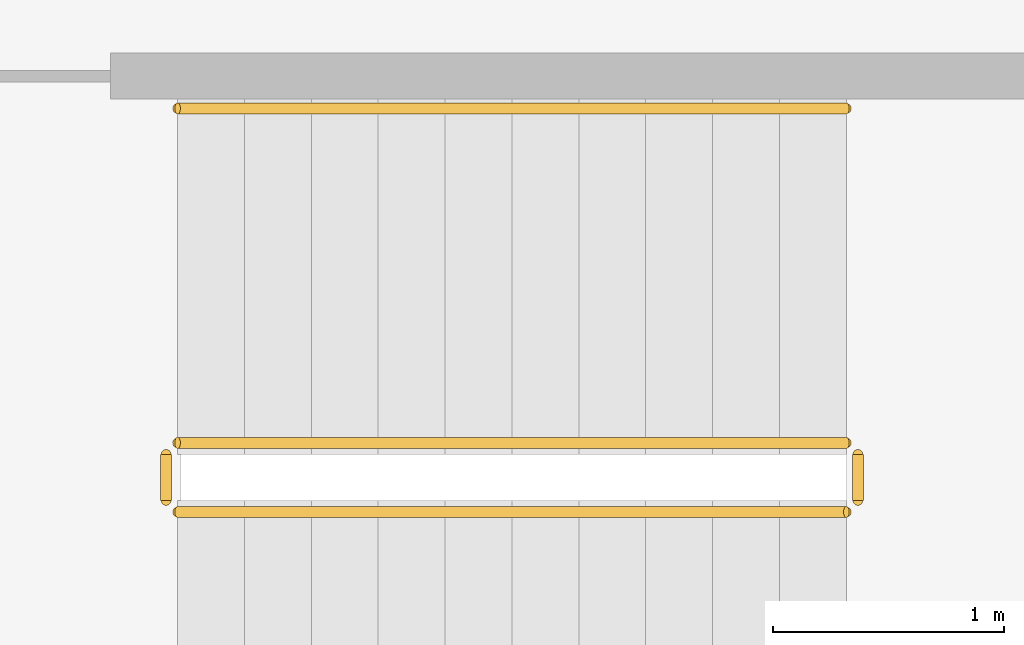
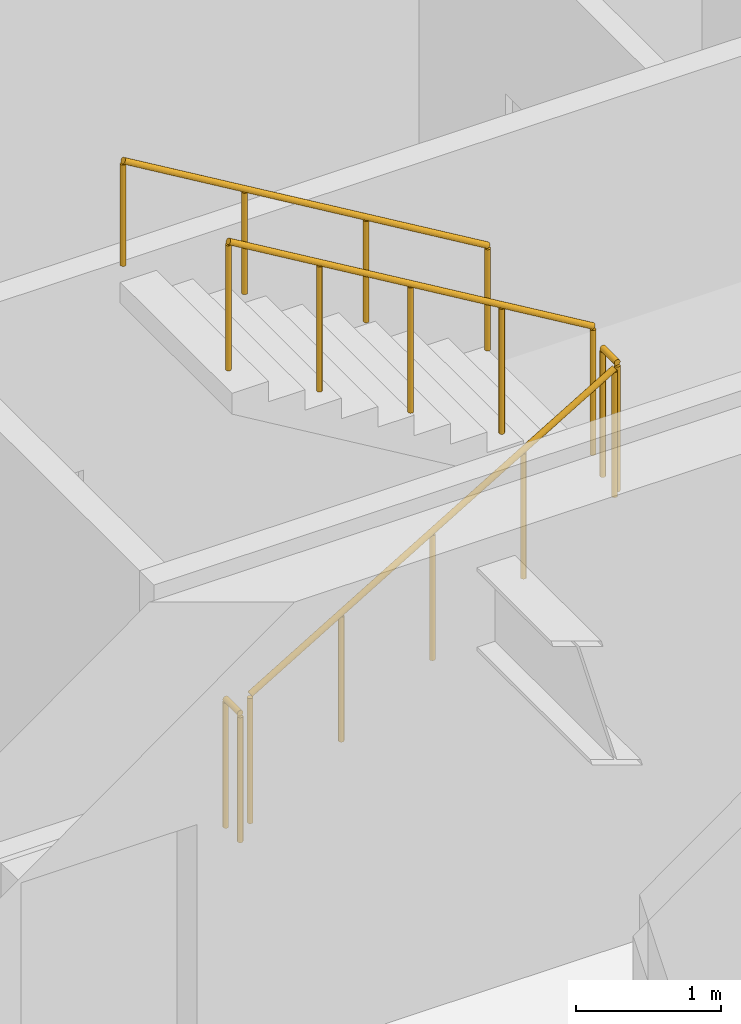
# One storey, part 22 of 23: 5 railings.
"""IFC4 building model written with IfcOpenShell, lengths in metres."""

from ifc_helpers import new_model, si_unit, direction, frame, origin, origin_2d, place, context, subcontext, project, spatial, circle, extrude, material, type_object, element, save


model = new_model("IFC4")

# Units and contexts
model_context = context("Model", 3, precision=1e-05, world=origin(), true_north=direction((0.0, 1.0)))
body_context = subcontext(model_context, "Body", "Model", "MODEL_VIEW")
ifc_project = project(units=[si_unit("LENGTHUNIT", "METRE"), si_unit("AREAUNIT", "SQUARE_METRE"), si_unit("VOLUMEUNIT", "CUBIC_METRE"), si_unit("PLANEANGLEUNIT", "RADIAN"), si_unit("MASSUNIT", "GRAM", prefix="KILO")], contexts=[model_context])

# Site, building, storey
site_placement = place(None, origin())
site = spatial("IfcSite", under=ifc_project, at=site_placement, CompositionType="ELEMENT")
building_placement = place(site_placement, origin())
building = spatial("IfcBuilding", under=site, at=building_placement, Name="Putna Gate Headquarters", CompositionType="ELEMENT")
storey_placement = place(building_placement, frame((0.0, 0.0, 206.199951171875)))
storey = spatial("IfcBuildingStorey", under=building, at=storey_placement, Name="L51", CompositionType="ELEMENT", Elevation=206.199951171875)

# Railings
ifc_material_1 = material(Name="Powder-coated steel stair guardrail", Category="steel")
railing_type_1 = type_object("IfcRailingType", Name="RAIL-STAIR-GUARD-1100", PredefinedType="GUARDRAIL", material=ifc_material_1)
railing_1_placement = place(storey_placement, frame((57.89990234375, 21.10009765625, 0.1728515625)))
element("IfcRailing", 1, at=railing_1_placement, inside=storey, type_object=railing_type_1, Name="L51 ST2 stair guard 1", PredefinedType="GUARDRAIL", context=body_context, shape_type="SweptSolid", body=[
    extrude(circle(Radius=0.02392578125, at=origin_2d()), frame((0.0, 0.0, 1.076171875), z_axis=(0.859160404282, 0.0, 0.51170636083), x_axis=(0.0, 1.0, 0.0)), (0.0, 0.0, 1.0), 3.37548828125),
    extrude(circle(Radius=0.02099609375, at=origin_2d()), origin(), (0.0, 0.0, 1.0), 1.052001953125),
    extrude(circle(Radius=0.02099609375, at=origin_2d()), frame((0.72509765625, 0.0, 0.431884765625)), (0.0, 0.0, 1.0), 1.052001953125),
    extrude(circle(Radius=0.02099609375, at=origin_2d()), frame((1.4501953125, 0.0, 0.86376953125)), (0.0, 0.0, 1.0), 1.052001953125),
    extrude(circle(Radius=0.02099609375, at=origin_2d()), frame((2.175048828125, 0.0, 1.29541015625)), (0.0, 0.0, 1.0), 1.052001953125),
    extrude(circle(Radius=0.02099609375, at=origin_2d()), frame((2.900146484375, 0.0, 1.727294921875)), (0.0, 0.0, 1.0), 1.052001953125),
])
railing_2_placement = place(storey_placement, frame((60.85009765625, 21.14990234375, 1.900146484375)))
element("IfcRailing", 2, at=railing_2_placement, inside=storey, type_object=railing_type_1, Name="L51 ST2 stair guard 2", PredefinedType="GUARDRAIL", context=body_context, shape_type="SweptSolid", body=[
    extrude(circle(Radius=0.02392578125, at=origin_2d()), frame((0.0, 0.0, 1.076171875), z_axis=(0.0, 1.0, 0.0), x_axis=(-1.0, 0.0, 0.0)), (0.0, 0.0, 1.0), 0.2001953125),
    extrude(circle(Radius=0.02099609375, at=origin_2d()), origin(), (0.0, 0.0, 1.0), 1.052001953125),
    extrude(circle(Radius=0.02099609375, at=origin_2d()), frame((0.0, 0.2001953125, 0.0)), (0.0, 0.0, 1.0), 1.052001953125),
])
railing_3_placement = place(storey_placement, frame((60.800048828125, 21.39990234375, 2.07275390625)))
element("IfcRailing", 3, at=railing_3_placement, inside=storey, type_object=railing_type_1, Name="L51 ST2 stair guard 3", PredefinedType="GUARDRAIL", context=body_context, shape_type="SweptSolid", body=[
    extrude(circle(Radius=0.02392578125, at=origin_2d()), frame((0.0, 0.0, 1.076171875), z_axis=(-0.859160404282, 0.0, 0.51170636083), x_axis=(0.0, -1.0, 0.0)), (0.0, 0.0, 1.0), 3.37548828125),
    extrude(circle(Radius=0.02099609375, at=origin_2d()), origin(), (0.0, 0.0, 1.0), 1.052001953125),
    extrude(circle(Radius=0.02099609375, at=origin_2d()), frame((-0.72509765625, 0.0, 0.431884765625)), (0.0, 0.0, 1.0), 1.052001953125),
    extrude(circle(Radius=0.02099609375, at=origin_2d()), frame((-1.4501953125, 0.0, 0.86376953125)), (0.0, 0.0, 1.0), 1.052001953125),
    extrude(circle(Radius=0.02099609375, at=origin_2d()), frame((-2.175048828125, 0.0, 1.29541015625)), (0.0, 0.0, 1.0), 1.052001953125),
    extrude(circle(Radius=0.02099609375, at=origin_2d()), frame((-2.900146484375, 0.0, 1.727294921875)), (0.0, 0.0, 1.0), 1.052001953125),
])
railing_4_placement = place(storey_placement, frame((57.85009765625, 21.14990234375, 0.0)))
element("IfcRailing", 4, at=railing_4_placement, inside=storey, type_object=railing_type_1, Name="L51 ST2 stair guard 4", PredefinedType="GUARDRAIL", context=body_context, shape_type="SweptSolid", body=[
    extrude(circle(Radius=0.02392578125, at=origin_2d()), frame((0.0, 0.0, 1.076171875), z_axis=(0.0, 1.0, 0.0), x_axis=(-1.0, 0.0, 0.0)), (0.0, 0.0, 1.0), 0.2001953125),
    extrude(circle(Radius=0.02099609375, at=origin_2d()), origin(), (0.0, 0.0, 1.0), 1.052001953125),
    extrude(circle(Radius=0.02099609375, at=origin_2d()), frame((0.0, 0.2001953125, 0.0)), (0.0, 0.0, 1.0), 1.052001953125),
])
ifc_material_2 = material(Name="Brushed stainless steel handrail", Category="steel")
railing_type_2 = type_object("IfcRailingType", Name="RAIL-STAIR-HAND-900", PredefinedType="HANDRAIL", material=ifc_material_2)
railing_5_placement = place(storey_placement, frame((60.800048828125, 22.85009765625, 2.07275390625)))
element("IfcRailing", 5, at=railing_5_placement, inside=storey, type_object=railing_type_2, Name="L51 ST2 stair handrail 2", PredefinedType="HANDRAIL", context=body_context, shape_type="SweptSolid", body=[
    extrude(circle(Radius=0.02392578125, at=origin_2d()), frame((0.0, 0.0, 0.8759765625), z_axis=(-0.859160404282, 0.0, 0.51170636083), x_axis=(0.0, -1.0, 0.0)), (0.0, 0.0, 1.0), 3.37548828125),
    extrude(circle(Radius=0.02099609375, at=origin_2d()), origin(), (0.0, 0.0, 1.0), 0.851806640625),
    extrude(circle(Radius=0.02099609375, at=origin_2d()), frame((-0.966796875, 0.0, 0.57568359375)), (0.0, 0.0, 1.0), 0.851806640625),
    extrude(circle(Radius=0.02099609375, at=origin_2d()), frame((-1.933349609375, 0.0, 1.151611328125)), (0.0, 0.0, 1.0), 0.851806640625),
    extrude(circle(Radius=0.02099609375, at=origin_2d()), frame((-2.900146484375, 0.0, 1.727294921875)), (0.0, 0.0, 1.0), 0.851806640625),
])

save(model, "model.ifc")
